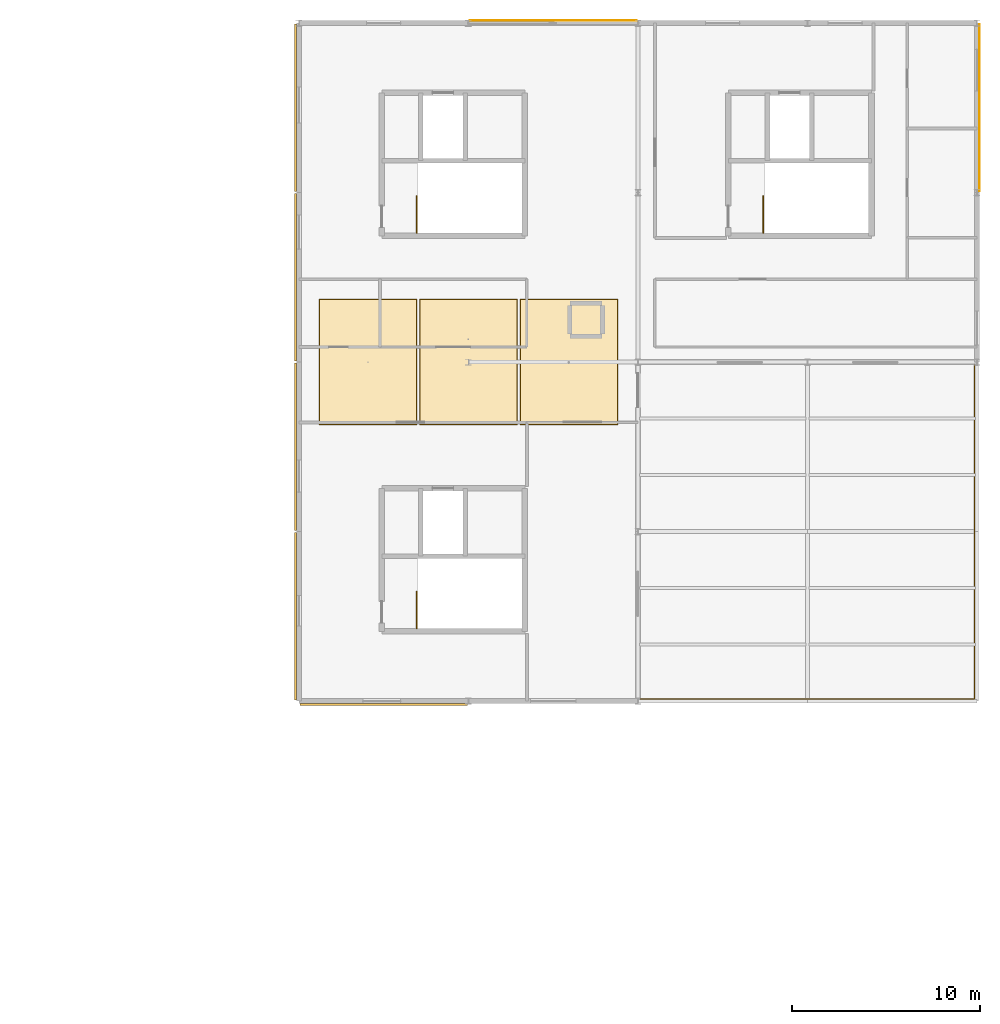
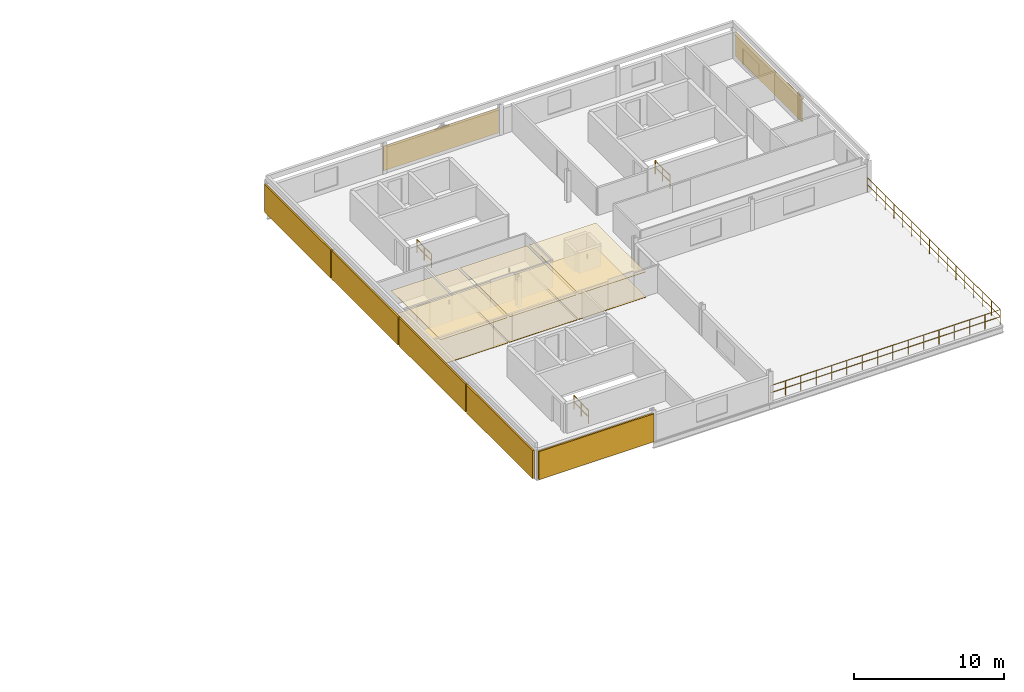
# One storey, part 16 of 16: 13 coverings, 4 railings.
"""IFC4 building model written with IfcOpenShell, lengths in metres."""

from ifc_helpers import new_model, si_unit, direction, frame, origin, origin_2d, place, context, subcontext, project, spatial, rectangle, circle, extrude, material, layer, layer_set, type_object, element, save


model = new_model("IFC4")

# Units and contexts
model_context = context("Model", 3, precision=1e-05, world=origin(), true_north=direction((0.0, 1.0)))
body_context = subcontext(model_context, "Body", "Model", "MODEL_VIEW")
ifc_project = project(units=[si_unit("LENGTHUNIT", "METRE"), si_unit("AREAUNIT", "SQUARE_METRE"), si_unit("VOLUMEUNIT", "CUBIC_METRE"), si_unit("PLANEANGLEUNIT", "RADIAN"), si_unit("MASSUNIT", "GRAM", prefix="KILO"), si_unit("THERMODYNAMICTEMPERATUREUNIT", "KELVIN"), si_unit("POWERUNIT", "WATT")], contexts=[model_context])

# Site, building, storey
site_placement = place(None, origin())
site = spatial("IfcSite", under=ifc_project, at=site_placement, CompositionType="ELEMENT")
building_placement = place(site_placement, origin())
building = spatial("IfcBuilding", under=site, at=building_placement, Name="Tallowbark Science Centre", CompositionType="ELEMENT")
storey_placement = place(building_placement, frame((0.0, 0.0, 23.39990234375)))
storey = spatial("IfcBuildingStorey", under=building, at=storey_placement, Name="L05", CompositionType="ELEMENT", Elevation=23.39990234375)

# Coverings
ifc_material_1 = material(Name="Perforated Spotted Gum Acoustic Baffle Ceiling", Category="wood")
ifc_layer_1 = layer(ifc_material_1, 0.02490234375)
ifc_layer_set_1 = layer_set([ifc_layer_1], Name="Perforated Spotted Gum Acoustic Baffle Ceiling")
covering_type_1 = type_object("IfcCoveringType", Name="CLG-TIM-25", PredefinedType="CEILING", material=ifc_layer_set_1)
for number, where, z_axis, x_axis, name in (
    (1, (116.166748046875, 90.0, 2.03759765625), (0.0, 0.0, 1.0), (1.0, 0.0, 0.0), "Suspended Ceiling L05-1140"),
    (2, (121.5, 90.0, 2.03759765625), (0.0, 0.0, 1.0), (1.0, 0.0, 0.0), "Suspended Ceiling L05-1141"),
    (3, (126.833251953125, 90.0, 2.03759765625), (0.0, 0.0, 1.0), (1.0, 0.0, 0.0), "Suspended Ceiling L05-1142"),
):
    element("IfcCovering", number, at=place(storey_placement, frame(where, z_axis=z_axis, x_axis=x_axis)), inside=storey, type_object=covering_type_1, Name=name, PredefinedType="CEILING", context=body_context, shape_type="SweptSolid", body=[
        extrude(rectangle(XDim=5.1533203125, YDim=6.6201171875, at=origin_2d()), origin(), (0.0, 0.0, 1.0), 0.02490234375),
    ])
ifc_material_2 = material(Name="White Architectural Precast Concrete Grade N40 (40 MPa)", Category="concrete")
ifc_layer_2 = layer(ifc_material_2, 0.1201171875)
ifc_layer_set_2 = layer_set([ifc_layer_2], Name="White Architectural Precast Concrete Grade N40 (40 MPa)")
covering_type_2 = type_object("IfcCoveringType", Name="COV-PRC-CLAD", PredefinedType="CLADDING", material=ifc_layer_set_2)
for number, where, z_axis, x_axis, name in (
    (4, (117.0, 71.81494140625, 0.050048828125), (0.0, 0.0, 1.0), (1.0, 0.0, 0.0), "Architectural Rainscreen OBS5-S-W1"),
    (5, (112.31494140625, 76.5, 0.050048828125), (0.0, 0.0, 1.0), (0.0, -1.0, 0.0), "Architectural Rainscreen OBS5-W-72"),
    (6, (112.31494140625, 85.5, 0.050048828125), (0.0, 0.0, 1.0), (0.0, -1.0, 0.0), "Architectural Rainscreen OBS5-W-81"),
    (7, (112.31494140625, 94.5, 0.050048828125), (0.0, 0.0, 1.0), (0.0, -1.0, 0.0), "Architectural Rainscreen OBS5-W-90"),
    (8, (112.31494140625, 103.5, 0.050048828125), (0.0, 0.0, 1.0), (0.0, -1.0, 0.0), "Architectural Rainscreen OBS5-W-99"),
):
    element("IfcCovering", number, at=place(storey_placement, frame(where, z_axis=z_axis, x_axis=x_axis)), inside=storey, type_object=covering_type_2, Name=name, PredefinedType="CLADDING", context=body_context, shape_type="SweptSolid", body=[
        extrude(rectangle(XDim=8.8798828125, YDim=0.1201171875, at=origin_2d()), origin(), (0.0, 0.0, 1.0), 2.2900390625),
    ])
ifc_material_3 = material(Name="Vitrified Ochre Terracotta Architectural Rainscreen", Category="masonry")
ifc_layer_3 = layer(ifc_material_3, 0.0380859375)
ifc_layer_set_3 = layer_set([ifc_layer_3], Name="Vitrified Ochre Terracotta Architectural Rainscreen")
covering_type_3 = type_object("IfcCoveringType", Name="COV-TER-CLAD", PredefinedType="CLADDING", material=ifc_layer_set_3)
for number, where, z_axis, x_axis, name in (
    (9, (148.64404296875, 103.5, 0.0498046875), (0.0, 0.0, 1.0), (0.0, 1.0, 0.0), "Architectural Rainscreen OBS5-E-N2"),
    (10, (126.0, 108.14404296875, 0.0498046875), (0.0, 0.0, 1.0), (-1.0, 0.0, 0.0), "Architectural Rainscreen OBS5-N-121"),
):
    element("IfcCovering", number, at=place(storey_placement, frame(where, z_axis=z_axis, x_axis=x_axis)), inside=storey, type_object=covering_type_3, Name=name, PredefinedType="CLADDING", context=body_context, shape_type="SweptSolid", body=[
        extrude(rectangle(XDim=8.8798828125, YDim=0.0380859375, at=origin_2d()), origin(), (0.0, 0.0, 1.0), 2.013916015625),
    ])
ifc_material_4 = material(Name="Engineered Blackbutt Gallery Timber Flooring", Category="wood")
ifc_layer_4 = layer(ifc_material_4, 0.02197265625)
ifc_layer_set_4 = layer_set([ifc_layer_4], Name="Engineered Blackbutt Gallery Timber Flooring")
covering_type_4 = type_object("IfcCoveringType", Name="FLR-TIM-22", PredefinedType="FLOORING", material=ifc_layer_set_4)
for number, where, z_axis, x_axis, name in (
    (11, (116.166748046875, 90.0, 0.0), (0.0, 0.0, 1.0), (1.0, 0.0, 0.0), "Floor Finish L05-1140"),
    (12, (121.5, 90.0, 0.0), (0.0, 0.0, 1.0), (1.0, 0.0, 0.0), "Floor Finish L05-1141"),
    (13, (126.833251953125, 90.0, 0.0), (0.0, 0.0, 1.0), (1.0, 0.0, 0.0), "Floor Finish L05-1142"),
):
    element("IfcCovering", number, at=place(storey_placement, frame(where, z_axis=z_axis, x_axis=x_axis)), inside=storey, type_object=covering_type_4, Name=name, PredefinedType="FLOORING", context=body_context, shape_type="SweptSolid", body=[
        extrude(rectangle(XDim=5.21337890625, YDim=6.679931640625, at=origin_2d()), origin(), (0.0, 0.0, 1.0), 0.02197265625),
    ])

# Railings
ifc_material_5 = material(Name="Galvanised Painted Steel and Laminated Glass Balustrade", Category="steel")
ifc_layer_5 = layer(ifc_material_5, 0.070068359375)
ifc_layer_set_5 = layer_set([ifc_layer_5], Name="Galvanised Painted Steel and Laminated Glass Balustrade")
railing_type_1 = type_object("IfcRailingType", Name="RLG-BAL-1150", PredefinedType="BALUSTRADE", material=ifc_layer_set_5)
for number, where, name in (
    (14, (118.760009765625, 75.85009765625, 0.0), "L05 ST-02 top well guard 1"),
    (15, (137.159912109375, 96.85009765625, 0.0), "L05 ST-04 top well guard 1"),
    (16, (118.760009765625, 96.85009765625, 0.0), "L05 ST-05 top well guard 1"),
):
    element("IfcRailing", number, at=place(storey_placement, frame(where)), inside=storey, type_object=railing_type_1, Name=name, PredefinedType="BALUSTRADE", context=body_context, shape_type="SweptSolid", body=[
        extrude(circle(Radius=0.02392578125, at=origin_2d()), frame((0.0, 0.0, 1.076171875), z_axis=(0.0, 1.0, 0.0), x_axis=(-1.0, 0.0, 0.0)), (0.0, 0.0, 1.0), 1.9599609375),
        extrude(circle(Radius=0.02392578125, at=origin_2d()), frame((0.0, 0.0, 0.550048828125), z_axis=(0.0, 1.0, 0.0), x_axis=(-1.0, 0.0, 0.0)), (0.0, 0.0, 1.0), 1.9599609375),
        extrude(circle(Radius=0.02099609375, at=origin_2d()), origin(), (0.0, 0.0, 1.0), 1.052001953125),
        extrude(circle(Radius=0.02099609375, at=origin_2d()), frame((0.0, 0.97998046875, 0.0)), (0.0, 0.0, 1.0), 1.052001953125),
        extrude(circle(Radius=0.02099609375, at=origin_2d()), frame((0.0, 1.9599609375, 0.0)), (0.0, 0.0, 1.0), 1.052001953125),
    ])
ifc_material_6 = material(Name="Architectural Steel Post-and-Rail Terrace Guard", Category="steel")
ifc_layer_6 = layer(ifc_material_6, 0.080078125)
ifc_layer_set_6 = layer_set([ifc_layer_6], Name="Architectural Steel Post-and-Rail Terrace Guard")
railing_type_2 = type_object("IfcRailingType", Name="RLG-TER-1200", PredefinedType="GUARDRAIL", material=ifc_layer_set_6)
railing_placement = place(storey_placement, frame((130.6201171875, 72.1201171875, 0.0)))
element("IfcRailing", 17, at=railing_placement, inside=storey, type_object=railing_type_2, Name="Guardrail GD-OBS-L05", PredefinedType="GUARDRAIL", context=body_context, shape_type="SweptSolid", body=[
    extrude(circle(Radius=0.02392578125, at=origin_2d()), frame((0.0, 0.0, 1.17578125), z_axis=(1.0, 0.0, 0.0), x_axis=(0.0, 1.0, 0.0)), (0.0, 0.0, 1.0), 17.759765625),
    extrude(circle(Radius=0.02392578125, at=origin_2d()), frame((0.0, 0.0, 0.60009765625), z_axis=(1.0, 0.0, 0.0), x_axis=(0.0, 1.0, 0.0)), (0.0, 0.0, 1.0), 17.759765625),
    extrude(circle(Radius=0.02392578125, at=origin_2d()), frame((17.759765625, 0.0, 1.17578125), z_axis=(0.0, 1.0, 0.0), x_axis=(-1.0, 0.0, 0.0)), (0.0, 0.0, 1.0), 17.759765625),
    extrude(circle(Radius=0.02392578125, at=origin_2d()), frame((17.759765625, 0.0, 0.60009765625), z_axis=(0.0, 1.0, 0.0), x_axis=(-1.0, 0.0, 0.0)), (0.0, 0.0, 1.0), 17.759765625),
    extrude(circle(Radius=0.02099609375, at=origin_2d()), origin(), (0.0, 0.0, 1.0), 1.15185546875),
    extrude(circle(Radius=0.02099609375, at=origin_2d()), frame((1.18408203125, 0.0, 0.0)), (0.0, 0.0, 1.0), 1.15185546875),
    extrude(circle(Radius=0.02099609375, at=origin_2d()), frame((2.367919921875, 0.0, 0.0)), (0.0, 0.0, 1.0), 1.15185546875),
    extrude(circle(Radius=0.02099609375, at=origin_2d()), frame((3.552001953125, 0.0, 0.0)), (0.0, 0.0, 1.0), 1.15185546875),
    extrude(circle(Radius=0.02099609375, at=origin_2d()), frame((4.73583984375, 0.0, 0.0)), (0.0, 0.0, 1.0), 1.15185546875),
    extrude(circle(Radius=0.02099609375, at=origin_2d()), frame((5.919921875, 0.0, 0.0)), (0.0, 0.0, 1.0), 1.15185546875),
    extrude(circle(Radius=0.02099609375, at=origin_2d()), frame((7.10400390625, 0.0, 0.0)), (0.0, 0.0, 1.0), 1.15185546875),
    extrude(circle(Radius=0.02099609375, at=origin_2d()), frame((8.287841796875, 0.0, 0.0)), (0.0, 0.0, 1.0), 1.15185546875),
    extrude(circle(Radius=0.02099609375, at=origin_2d()), frame((9.471923828125, 0.0, 0.0)), (0.0, 0.0, 1.0), 1.15185546875),
    extrude(circle(Radius=0.02099609375, at=origin_2d()), frame((10.65576171875, 0.0, 0.0)), (0.0, 0.0, 1.0), 1.15185546875),
    extrude(circle(Radius=0.02099609375, at=origin_2d()), frame((11.83984375, 0.0, 0.0)), (0.0, 0.0, 1.0), 1.15185546875),
    extrude(circle(Radius=0.02099609375, at=origin_2d()), frame((13.02392578125, 0.0, 0.0)), (0.0, 0.0, 1.0), 1.15185546875),
    extrude(circle(Radius=0.02099609375, at=origin_2d()), frame((14.207763671875, 0.0, 0.0)), (0.0, 0.0, 1.0), 1.15185546875),
    extrude(circle(Radius=0.02099609375, at=origin_2d()), frame((15.391845703125, 0.0, 0.0)), (0.0, 0.0, 1.0), 1.15185546875),
    extrude(circle(Radius=0.02099609375, at=origin_2d()), frame((16.57568359375, 0.0, 0.0)), (0.0, 0.0, 1.0), 1.15185546875),
    extrude(circle(Radius=0.02099609375, at=origin_2d()), frame((17.759765625, 0.0, 0.0)), (0.0, 0.0, 1.0), 1.15185546875),
    extrude(circle(Radius=0.02099609375, at=origin_2d()), frame((17.759765625, 1.18408203125, 0.0)), (0.0, 0.0, 1.0), 1.15185546875),
    extrude(circle(Radius=0.02099609375, at=origin_2d()), frame((17.759765625, 2.367919921875, 0.0)), (0.0, 0.0, 1.0), 1.15185546875),
    extrude(circle(Radius=0.02099609375, at=origin_2d()), frame((17.759765625, 3.552001953125, 0.0)), (0.0, 0.0, 1.0), 1.15185546875),
    extrude(circle(Radius=0.02099609375, at=origin_2d()), frame((17.759765625, 4.73583984375, 0.0)), (0.0, 0.0, 1.0), 1.15185546875),
    extrude(circle(Radius=0.02099609375, at=origin_2d()), frame((17.759765625, 5.919921875, 0.0)), (0.0, 0.0, 1.0), 1.15185546875),
    extrude(circle(Radius=0.02099609375, at=origin_2d()), frame((17.759765625, 7.10400390625, 0.0)), (0.0, 0.0, 1.0), 1.15185546875),
    extrude(circle(Radius=0.02099609375, at=origin_2d()), frame((17.759765625, 8.287841796875, 0.0)), (0.0, 0.0, 1.0), 1.15185546875),
    extrude(circle(Radius=0.02099609375, at=origin_2d()), frame((17.759765625, 9.471923828125, 0.0)), (0.0, 0.0, 1.0), 1.15185546875),
    extrude(circle(Radius=0.02099609375, at=origin_2d()), frame((17.759765625, 10.65576171875, 0.0)), (0.0, 0.0, 1.0), 1.15185546875),
    extrude(circle(Radius=0.02099609375, at=origin_2d()), frame((17.759765625, 11.83984375, 0.0)), (0.0, 0.0, 1.0), 1.15185546875),
    extrude(circle(Radius=0.02099609375, at=origin_2d()), frame((17.759765625, 13.02392578125, 0.0)), (0.0, 0.0, 1.0), 1.15185546875),
    extrude(circle(Radius=0.02099609375, at=origin_2d()), frame((17.759765625, 14.207763671875, 0.0)), (0.0, 0.0, 1.0), 1.15185546875),
    extrude(circle(Radius=0.02099609375, at=origin_2d()), frame((17.759765625, 15.391845703125, 0.0)), (0.0, 0.0, 1.0), 1.15185546875),
    extrude(circle(Radius=0.02099609375, at=origin_2d()), frame((17.759765625, 16.57568359375, 0.0)), (0.0, 0.0, 1.0), 1.15185546875),
    extrude(circle(Radius=0.02099609375, at=origin_2d()), frame((17.759765625, 17.759765625, 0.0)), (0.0, 0.0, 1.0), 1.15185546875),
])

save(model, "model.ifc")
